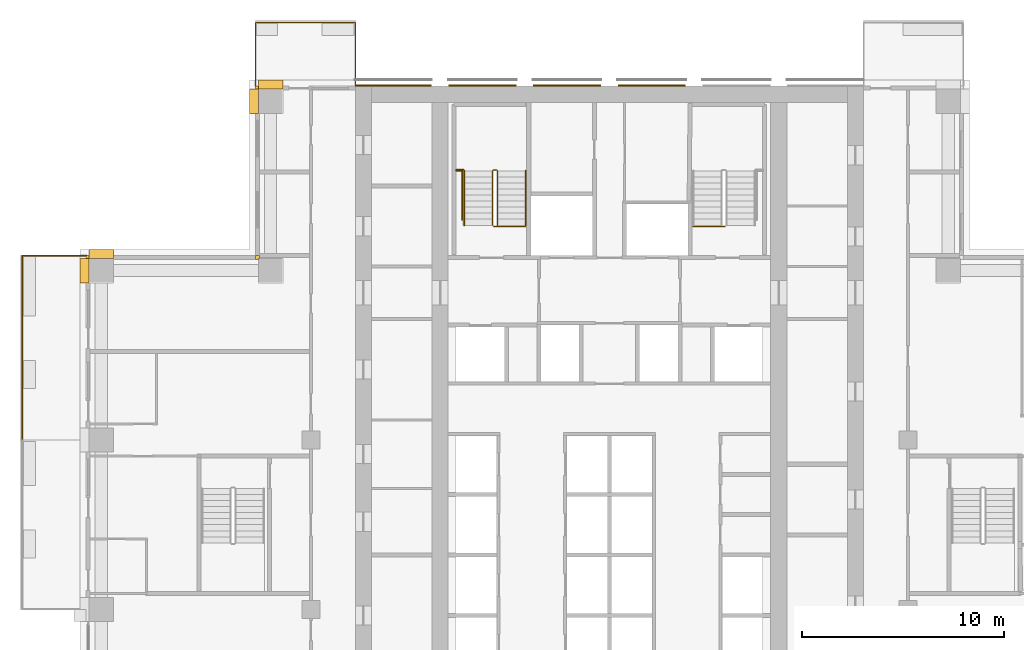
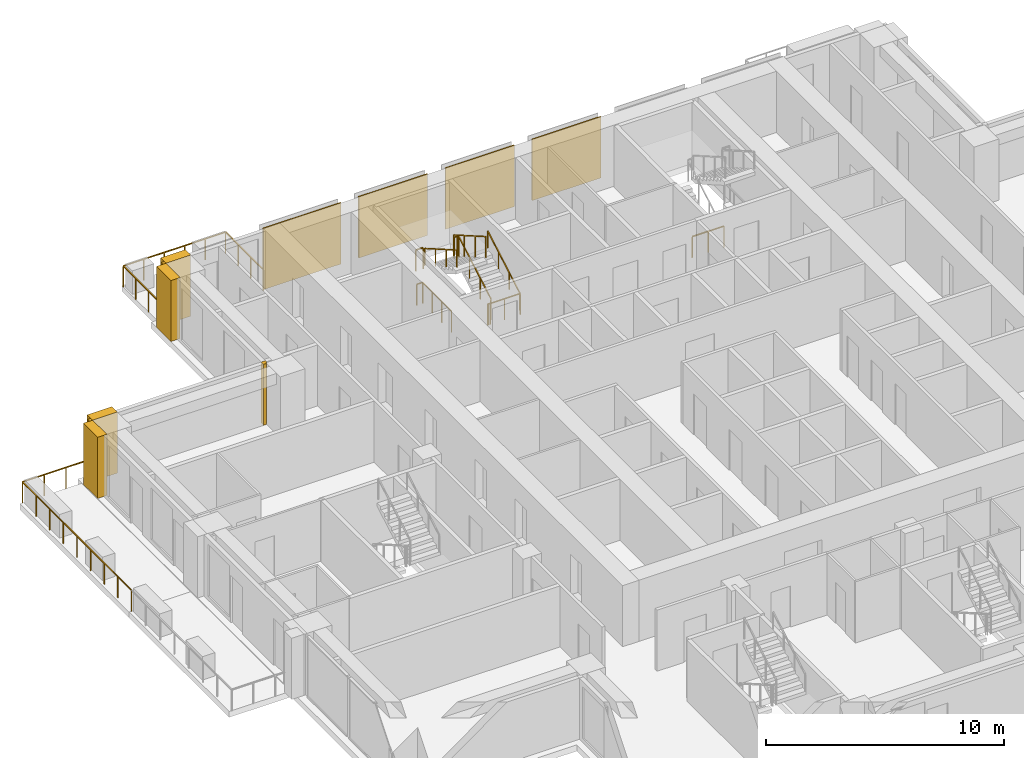
# One storey, part 15 of 16: 11 coverings, 9 railings.
"""IFC4 building model written with IfcOpenShell, lengths in metres."""

from ifc_helpers import new_model, si_unit, direction, frame, origin, origin_2d, place, context, subcontext, project, spatial, polyline, rectangle, outline, extrude, material, type_object, element, save


model = new_model("IFC4")

# Units and contexts
model_context = context("Model", 3, precision=1e-05, world=origin(), true_north=direction((0.0, 1.0)))
body_context = subcontext(model_context, "Body", "Model", "MODEL_VIEW")
ifc_project = project(units=[si_unit("LENGTHUNIT", "METRE"), si_unit("AREAUNIT", "SQUARE_METRE"), si_unit("VOLUMEUNIT", "CUBIC_METRE"), si_unit("PLANEANGLEUNIT", "RADIAN"), si_unit("MASSUNIT", "GRAM", prefix="KILO")], contexts=[model_context])

# Site, building, storey
site_placement = place(None, origin())
site = spatial("IfcSite", under=ifc_project, at=site_placement, CompositionType="ELEMENT")
building_placement = place(site_placement, origin())
building = spatial("IfcBuilding", under=site, at=building_placement, Name="Vermilion Ogive Tower", CompositionType="ELEMENT")
storey_placement = place(building_placement, frame((0.0, 0.0, 101.10009765625)))
storey = spatial("IfcBuildingStorey", under=building, at=storey_placement, Name="L25", CompositionType="ELEMENT", Elevation=101.10009765625)

# Railings
ifc_material_1 = material(Name="Stainless steel and glass", Category="steel")
railing_type_1 = type_object("IfcRailingType", Name="Balcony guard", PredefinedType="GUARDRAIL", material=ifc_material_1)
railing_1_placement = place(storey_placement, frame((-12.60009765625, 21.75, -0.0400390625)))
element("IfcRailing", 1, at=railing_1_placement, inside=storey, type_object=railing_type_1, Name="Guard N201", PredefinedType="GUARDRAIL", context=body_context, shape_type="SweptSolid", body=[
    extrude(rectangle(XDim=0.048095703125, YDim=0.048095703125, at=origin_2d()), frame((0.0, 0.0, 1.076171875), z_axis=(0.0, 1.0, 0.0), x_axis=(-1.0, 0.0, 0.0)), (0.0, 0.0, 1.0), 3.159912109375),
    extrude(rectangle(XDim=0.048095703125, YDim=0.048095703125, at=origin_2d()), frame((0.0, 3.159912109375, 1.076171875), z_axis=(-1.0, 0.0, 0.0), x_axis=(0.0, -1.0, 0.0)), (0.0, 0.0, 1.0), 4.949951171875),
    extrude(rectangle(XDim=0.048095703125, YDim=0.048095703125, at=origin_2d()), frame((-4.949951171875, 3.159912109375, 1.076171875), z_axis=(0.0, -1.0, 0.0), x_axis=(1.0, 0.0, 0.0)), (0.0, 0.0, 1.0), 3.159912109375),
    extrude(rectangle(XDim=0.0419921875, YDim=0.0419921875, at=origin_2d()), origin(), (0.0, 0.0, 1.0), 1.052001953125),
    extrude(rectangle(XDim=0.0419921875, YDim=0.0419921875, at=origin_2d()), frame((0.0, 1.05322265625, 0.0)), (0.0, 0.0, 1.0), 1.052001953125),
    extrude(rectangle(XDim=0.0419921875, YDim=0.0419921875, at=origin_2d()), frame((0.0, 2.106689453125, 0.0)), (0.0, 0.0, 1.0), 1.052001953125),
    extrude(rectangle(XDim=0.0419921875, YDim=0.0419921875, at=origin_2d()), frame((0.0, 3.159912109375, 0.0)), (0.0, 0.0, 1.0), 1.052001953125),
    extrude(rectangle(XDim=0.0419921875, YDim=0.0419921875, at=origin_2d()), frame((-0.989990234375, 3.159912109375, 0.0)), (0.0, 0.0, 1.0), 1.052001953125),
    extrude(rectangle(XDim=0.0419921875, YDim=0.0419921875, at=origin_2d()), frame((-1.97998046875, 3.159912109375, 0.0)), (0.0, 0.0, 1.0), 1.052001953125),
    extrude(rectangle(XDim=0.0419921875, YDim=0.0419921875, at=origin_2d()), frame((-2.969970703125, 3.159912109375, 0.0)), (0.0, 0.0, 1.0), 1.052001953125),
    extrude(rectangle(XDim=0.0419921875, YDim=0.0419921875, at=origin_2d()), frame((-3.9599609375, 3.159912109375, 0.0)), (0.0, 0.0, 1.0), 1.052001953125),
    extrude(rectangle(XDim=0.0419921875, YDim=0.0419921875, at=origin_2d()), frame((-4.949951171875, 3.159912109375, 0.0)), (0.0, 0.0, 1.0), 1.052001953125),
    extrude(rectangle(XDim=0.0419921875, YDim=0.0419921875, at=origin_2d()), frame((-4.949951171875, 2.106689453125, 0.0)), (0.0, 0.0, 1.0), 1.052001953125),
    extrude(rectangle(XDim=0.0419921875, YDim=0.0419921875, at=origin_2d()), frame((-4.949951171875, 1.05322265625, 0.0)), (0.0, 0.0, 1.0), 1.052001953125),
    extrude(rectangle(XDim=0.0419921875, YDim=0.0419921875, at=origin_2d()), frame((-4.949951171875, 0.0, 0.0)), (0.0, 0.0, 1.0), 1.052001953125),
])
railing_2_placement = place(storey_placement, frame((-25.949951171875, 13.35009765625, -0.0400390625)))
element("IfcRailing", 2, at=railing_2_placement, inside=storey, type_object=railing_type_1, Name="Guard W01", PredefinedType="GUARDRAIL", context=body_context, shape_type="SweptSolid", body=[
    extrude(rectangle(XDim=0.048095703125, YDim=0.048095703125, at=origin_2d()), frame((0.0, 0.0, 1.076171875), z_axis=(-1.0, 0.0, 0.0), x_axis=(0.0, -1.0, 0.0)), (0.0, 0.0, 1.0), 3.16015625),
    extrude(rectangle(XDim=0.048095703125, YDim=0.048095703125, at=origin_2d()), frame((-3.16015625, 0.0, 1.076171875), z_axis=(0.0, -1.0, 0.0), x_axis=(1.0, 0.0, 0.0)), (0.0, 0.0, 1.0), 9.150146484375),
    extrude(rectangle(XDim=0.0419921875, YDim=0.0419921875, at=origin_2d()), origin(), (0.0, 0.0, 1.0), 1.052001953125),
    extrude(rectangle(XDim=0.0419921875, YDim=0.0419921875, at=origin_2d()), frame((-1.053466796875, 0.0, 0.0)), (0.0, 0.0, 1.0), 1.052001953125),
    extrude(rectangle(XDim=0.0419921875, YDim=0.0419921875, at=origin_2d()), frame((-2.106689453125, 0.0, 0.0)), (0.0, 0.0, 1.0), 1.052001953125),
    extrude(rectangle(XDim=0.0419921875, YDim=0.0419921875, at=origin_2d()), frame((-3.16015625, 0.0, 0.0)), (0.0, 0.0, 1.0), 1.052001953125),
    extrude(rectangle(XDim=0.0419921875, YDim=0.0419921875, at=origin_2d()), frame((-3.16015625, -1.143798828125, 0.0)), (0.0, 0.0, 1.0), 1.052001953125),
    extrude(rectangle(XDim=0.0419921875, YDim=0.0419921875, at=origin_2d()), frame((-3.16015625, -2.28759765625, 0.0)), (0.0, 0.0, 1.0), 1.052001953125),
    extrude(rectangle(XDim=0.0419921875, YDim=0.0419921875, at=origin_2d()), frame((-3.16015625, -3.431396484375, 0.0)), (0.0, 0.0, 1.0), 1.052001953125),
    extrude(rectangle(XDim=0.0419921875, YDim=0.0419921875, at=origin_2d()), frame((-3.16015625, -4.5751953125, 0.0)), (0.0, 0.0, 1.0), 1.052001953125),
    extrude(rectangle(XDim=0.0419921875, YDim=0.0419921875, at=origin_2d()), frame((-3.16015625, -5.71875, 0.0)), (0.0, 0.0, 1.0), 1.052001953125),
    extrude(rectangle(XDim=0.0419921875, YDim=0.0419921875, at=origin_2d()), frame((-3.16015625, -6.862548828125, 0.0)), (0.0, 0.0, 1.0), 1.052001953125),
    extrude(rectangle(XDim=0.0419921875, YDim=0.0419921875, at=origin_2d()), frame((-3.16015625, -8.00634765625, 0.0)), (0.0, 0.0, 1.0), 1.052001953125),
    extrude(rectangle(XDim=0.0419921875, YDim=0.0419921875, at=origin_2d()), frame((-3.16015625, -9.150146484375, 0.0)), (0.0, 0.0, 1.0), 1.052001953125),
])
ifc_material_2 = material(Name="Steel S355 painted", Category="steel")
railing_type_2 = type_object("IfcRailingType", Name="Stair guard 1100", PredefinedType="GUARDRAIL", material=ifc_material_2)
railing_3_placement = place(storey_placement, frame((-5.75, 14.800048828125, 0.0)))
element("IfcRailing", 3, at=railing_3_placement, inside=storey, type_object=railing_type_2, Name="L25 ST1 stair guard 4", PredefinedType="GUARDRAIL", context=body_context, shape_type="SweptSolid", body=[
    extrude(rectangle(XDim=0.048095703125, YDim=0.048095703125, at=origin_2d()), frame((0.0, 0.0, 1.076171875), z_axis=(1.0, 0.0, 0.0), x_axis=(0.0, 1.0, 0.0)), (0.0, 0.0, 1.0), 0.14990234375),
    extrude(rectangle(XDim=0.048095703125, YDim=0.048095703125, at=origin_2d()), frame((0.14990234375, 0.0, 1.076171875), z_axis=(0.268603158521, 0.268603158521, 0.925043072762), x_axis=(-0.707106781187, 0.707106781187, 0.0)), (0.0, 0.0, 1.0), 0.186279296875),
    extrude(rectangle(XDim=0.048095703125, YDim=0.048095703125, at=origin_2d()), frame((0.199951171875, 0.050048828125, 1.24853515625), z_axis=(0.0, 0.866903762492, 0.498475542607), x_axis=(-1.0, 0.0, 0.0)), (0.0, 0.0, 1.0), 3.114501953125),
    extrude(rectangle(XDim=0.048095703125, YDim=0.048095703125, at=origin_2d()), frame((0.199951171875, 2.75, 2.80078125), z_axis=(-0.707106781187, 0.707106781187, 0.0), x_axis=(-0.707106781187, -0.707106781187, 0.0)), (0.0, 0.0, 1.0), 0.07080078125),
    extrude(rectangle(XDim=0.048095703125, YDim=0.048095703125, at=origin_2d()), frame((0.14990234375, 2.800048828125, 2.80078125), z_axis=(-1.0, 0.0, 0.0), x_axis=(0.0, -1.0, 0.0)), (0.0, 0.0, 1.0), 0.14990234375),
    extrude(rectangle(XDim=0.048095703125, YDim=0.048095703125, at=origin_2d()), frame((0.0, 2.800048828125, 2.80078125), z_axis=(-0.268277960024, -0.268277960024, 0.925231793839), x_axis=(0.707106781187, -0.707106781187, 0.0)), (0.0, 0.0, 1.0), 0.1865234375),
    extrude(rectangle(XDim=0.048095703125, YDim=0.048095703125, at=origin_2d()), frame((-0.050048828125, 2.75, 2.9736328125), z_axis=(0.0, -0.866903762492, 0.498475542607), x_axis=(1.0, 0.0, 0.0)), (0.0, 0.0, 1.0), 3.114501953125),
    extrude(rectangle(XDim=0.0419921875, YDim=0.0419921875, at=origin_2d()), origin(), (0.0, 0.0, 1.0), 1.052001953125),
    extrude(rectangle(XDim=0.0419921875, YDim=0.0419921875, at=origin_2d()), frame((0.14990234375, 0.0, 0.0)), (0.0, 0.0, 1.0), 1.052001953125),
    extrude(rectangle(XDim=0.0419921875, YDim=0.0419921875, at=origin_2d()), frame((0.199951171875, 0.050048828125, 0.17236328125)), (0.0, 0.0, 1.0), 1.052001953125),
    extrude(rectangle(XDim=0.0419921875, YDim=0.0419921875, at=origin_2d()), frame((0.199951171875, 0.949951171875, 0.68994140625)), (0.0, 0.0, 1.0), 1.052001953125),
    extrude(rectangle(XDim=0.0419921875, YDim=0.0419921875, at=origin_2d()), frame((0.199951171875, 1.85009765625, 1.207275390625)), (0.0, 0.0, 1.0), 1.052001953125),
    extrude(rectangle(XDim=0.0419921875, YDim=0.0419921875, at=origin_2d()), frame((0.199951171875, 2.75, 1.724853515625)), (0.0, 0.0, 1.0), 1.052001953125),
    extrude(rectangle(XDim=0.0419921875, YDim=0.0419921875, at=origin_2d()), frame((0.14990234375, 2.800048828125, 1.724853515625)), (0.0, 0.0, 1.0), 1.052001953125),
    extrude(rectangle(XDim=0.0419921875, YDim=0.0419921875, at=origin_2d()), frame((0.0, 2.800048828125, 1.724853515625)), (0.0, 0.0, 1.0), 1.052001953125),
    extrude(rectangle(XDim=0.0419921875, YDim=0.0419921875, at=origin_2d()), frame((-0.050048828125, 2.75, 1.8974609375)), (0.0, 0.0, 1.0), 1.052001953125),
    extrude(rectangle(XDim=0.0419921875, YDim=0.0419921875, at=origin_2d()), frame((-0.050048828125, 1.85009765625, 2.4150390625)), (0.0, 0.0, 1.0), 1.052001953125),
    extrude(rectangle(XDim=0.0419921875, YDim=0.0419921875, at=origin_2d()), frame((-0.050048828125, 0.949951171875, 2.932373046875)), (0.0, 0.0, 1.0), 1.052001953125),
    extrude(rectangle(XDim=0.0419921875, YDim=0.0419921875, at=origin_2d()), frame((-0.050048828125, 0.050048828125, 3.449951171875)), (0.0, 0.0, 1.0), 1.052001953125),
])
railing_4_placement = place(storey_placement, frame((-7.60009765625, 17.60009765625, 1.724853515625)))
element("IfcRailing", 4, at=railing_4_placement, inside=storey, type_object=railing_type_2, Name="L25 landing guard", PredefinedType="GUARDRAIL", context=body_context, shape_type="SweptSolid", body=[
    extrude(rectangle(XDim=0.048095703125, YDim=0.048095703125, at=origin_2d()), frame((0.0, 0.0, 1.076171875), z_axis=(1.0, 0.0, 0.0), x_axis=(0.0, 1.0, 0.0)), (0.0, 0.0, 1.0), 0.35009765625),
    extrude(rectangle(XDim=0.0419921875, YDim=0.0419921875, at=origin_2d()), origin(), (0.0, 0.0, 1.0), 1.052001953125),
    extrude(rectangle(XDim=0.0419921875, YDim=0.0419921875, at=origin_2d()), frame((0.35009765625, 0.0, 0.0)), (0.0, 0.0, 1.0), 1.052001953125),
])
railing_5_placement = place(storey_placement, frame((-4.159912109375, 14.7900390625, 0.0)))
element("IfcRailing", 5, at=railing_5_placement, inside=storey, type_object=railing_type_2, Name="L25 stair opening guard", PredefinedType="GUARDRAIL", context=body_context, shape_type="SweptSolid", body=[
    extrude(rectangle(XDim=0.048095703125, YDim=0.048095703125, at=origin_2d()), frame((0.0, 0.0, 1.076171875), z_axis=(-1.0, 0.0, 0.0), x_axis=(0.0, -1.0, 0.0)), (0.0, 0.0, 1.0), 1.5400390625),
    extrude(rectangle(XDim=0.0419921875, YDim=0.0419921875, at=origin_2d()), origin(), (0.0, 0.0, 1.0), 1.052001953125),
    extrude(rectangle(XDim=0.0419921875, YDim=0.0419921875, at=origin_2d()), frame((-0.77001953125, 0.0, 0.0)), (0.0, 0.0, 1.0), 1.052001953125),
    extrude(rectangle(XDim=0.0419921875, YDim=0.0419921875, at=origin_2d()), frame((-1.5400390625, 0.0, 0.0)), (0.0, 0.0, 1.0), 1.052001953125),
])
railing_6_placement = place(storey_placement, frame((-7.3095703125, 15.11865234375, 0.0)))
element("IfcRailing", 6, at=railing_6_placement, inside=storey, type_object=railing_type_2, Name="L25 stair opening guard", PredefinedType="GUARDRAIL", context=body_context, shape_type="SweptSolid", body=[
    extrude(rectangle(XDim=0.048095703125, YDim=0.048095703125, at=origin_2d()), frame((0.0, 0.0, 1.076171875), z_axis=(0.0, 1.0, 0.0), x_axis=(-1.0, 0.0, 0.0)), (0.0, 0.0, 1.0), 2.42431640625),
    extrude(rectangle(XDim=0.048095703125, YDim=0.048095703125, at=origin_2d()), frame((0.0, 2.42431640625, 1.076171875), z_axis=(-1.0, 0.0, 0.0), x_axis=(0.0, -1.0, 0.0)), (0.0, 0.0, 1.0), 0.2900390625),
    extrude(rectangle(XDim=0.0419921875, YDim=0.0419921875, at=origin_2d()), origin(), (0.0, 0.0, 1.0), 1.052001953125),
    extrude(rectangle(XDim=0.0419921875, YDim=0.0419921875, at=origin_2d()), frame((0.0, 0.80810546875, 0.0)), (0.0, 0.0, 1.0), 1.052001953125),
    extrude(rectangle(XDim=0.0419921875, YDim=0.0419921875, at=origin_2d()), frame((0.0, 1.6162109375, 0.0)), (0.0, 0.0, 1.0), 1.052001953125),
    extrude(rectangle(XDim=0.0419921875, YDim=0.0419921875, at=origin_2d()), frame((0.0, 2.42431640625, 0.0)), (0.0, 0.0, 1.0), 1.052001953125),
    extrude(rectangle(XDim=0.0419921875, YDim=0.0419921875, at=origin_2d()), frame((-0.2900390625, 2.42431640625, 0.0)), (0.0, 0.0, 1.0), 1.052001953125),
])
railing_7_placement = place(storey_placement, frame((5.699951171875, 14.7900390625, 0.0)))
element("IfcRailing", 7, at=railing_7_placement, inside=storey, type_object=railing_type_2, Name="L25 stair opening guard", PredefinedType="GUARDRAIL", context=body_context, shape_type="SweptSolid", body=[
    extrude(rectangle(XDim=0.048095703125, YDim=0.048095703125, at=origin_2d()), frame((0.0, 0.0, 1.076171875), z_axis=(-1.0, 0.0, 0.0), x_axis=(0.0, -1.0, 0.0)), (0.0, 0.0, 1.0), 1.5400390625),
    extrude(rectangle(XDim=0.0419921875, YDim=0.0419921875, at=origin_2d()), origin(), (0.0, 0.0, 1.0), 1.052001953125),
    extrude(rectangle(XDim=0.0419921875, YDim=0.0419921875, at=origin_2d()), frame((-0.77001953125, 0.0, 0.0)), (0.0, 0.0, 1.0), 1.052001953125),
    extrude(rectangle(XDim=0.0419921875, YDim=0.0419921875, at=origin_2d()), frame((-1.5400390625, 0.0, 0.0)), (0.0, 0.0, 1.0), 1.052001953125),
])
ifc_material_3 = material(Name="Stainless steel", Category="steel")
railing_type_3 = type_object("IfcRailingType", Name="Stair handrail 900", PredefinedType="HANDRAIL", material=ifc_material_3)
railing_8_placement = place(storey_placement, frame((-4.14990234375, 14.85009765625, 0.17236328125)))
element("IfcRailing", 8, at=railing_8_placement, inside=storey, type_object=railing_type_3, Name="L25 ST1 stair handrail 1", PredefinedType="HANDRAIL", context=body_context, shape_type="SweptSolid", body=[
    extrude(rectangle(XDim=0.048095703125, YDim=0.048095703125, at=origin_2d()), frame((0.0, 0.0, 0.8759765625), z_axis=(0.0, 0.866903762492, 0.498475542607), x_axis=(-1.0, 0.0, 0.0)), (0.0, 0.0, 1.0), 3.114501953125),
    extrude(rectangle(XDim=0.0419921875, YDim=0.0419921875, at=origin_2d()), origin(), (0.0, 0.0, 1.0), 0.851806640625),
    extrude(rectangle(XDim=0.0419921875, YDim=0.0419921875, at=origin_2d()), frame((0.0, 0.89990234375, 0.517578125)), (0.0, 0.0, 1.0), 0.851806640625),
    extrude(rectangle(XDim=0.0419921875, YDim=0.0419921875, at=origin_2d()), frame((0.0, 1.800048828125, 1.034912109375)), (0.0, 0.0, 1.0), 0.851806640625),
    extrude(rectangle(XDim=0.0419921875, YDim=0.0419921875, at=origin_2d()), frame((0.0, 2.699951171875, 1.552490234375)), (0.0, 0.0, 1.0), 0.851806640625),
])
railing_9_placement = place(storey_placement, frame((-7.199951171875, 17.550048828125, 1.8974609375)))
element("IfcRailing", 9, at=railing_9_placement, inside=storey, type_object=railing_type_3, Name="L25 ST1 stair handrail 2", PredefinedType="HANDRAIL", context=body_context, shape_type="SweptSolid", body=[
    extrude(rectangle(XDim=0.048095703125, YDim=0.048095703125, at=origin_2d()), frame((0.0, 0.0, 0.8759765625), z_axis=(0.0, -0.866903762492, 0.498475542607), x_axis=(1.0, 0.0, 0.0)), (0.0, 0.0, 1.0), 3.114501953125),
    extrude(rectangle(XDim=0.0419921875, YDim=0.0419921875, at=origin_2d()), origin(), (0.0, 0.0, 1.0), 0.851806640625),
    extrude(rectangle(XDim=0.0419921875, YDim=0.0419921875, at=origin_2d()), frame((0.0, -0.89990234375, 0.517578125)), (0.0, 0.0, 1.0), 0.851806640625),
    extrude(rectangle(XDim=0.0419921875, YDim=0.0419921875, at=origin_2d()), frame((0.0, -1.800048828125, 1.034912109375)), (0.0, 0.0, 1.0), 0.851806640625),
    extrude(rectangle(XDim=0.0419921875, YDim=0.0419921875, at=origin_2d()), frame((0.0, -2.699951171875, 1.552490234375)), (0.0, 0.0, 1.0), 0.851806640625),
])

# Coverings
ifc_material_4 = material(Name="Stone cladding", Category="masonry")
covering_type_1 = type_object("IfcCoveringType", Name="Stone cladding panel", PredefinedType="CLADDING", material=ifc_material_4)
covering_1_placement = place(storey_placement, origin())
element("IfcCovering", 10, at=covering_1_placement, inside=storey, type_object=covering_type_1, Name="Stone cladding panel N1", PredefinedType="CLADDING", context=body_context, shape_type="SweptSolid", body=[
    extrude(outline(polyline([(-12.590087890625, 21.75), (-8.830078125, 21.75), (-8.830078125, 21.81005859375), (-12.590087890625, 21.81005859375), (-12.590087890625, 21.75)])), origin(), (0.0, 0.0, 1.0), 3.1298828125),
])
covering_2_placement = place(storey_placement, origin())
element("IfcCovering", 11, at=covering_2_placement, inside=storey, type_object=covering_type_1, Name="Stone cladding panel N2", PredefinedType="CLADDING", context=body_context, shape_type="SweptSolid", body=[
    extrude(outline(polyline([(-7.969970703125, 21.75), (-4.6298828125, 21.75), (-4.6298828125, 21.81005859375), (-7.969970703125, 21.81005859375), (-7.969970703125, 21.75)])), origin(), (0.0, 0.0, 1.0), 3.1298828125),
])
covering_3_placement = place(storey_placement, origin())
element("IfcCovering", 12, at=covering_3_placement, inside=storey, type_object=covering_type_1, Name="Stone cladding panel N3", PredefinedType="CLADDING", context=body_context, shape_type="SweptSolid", body=[
    extrude(outline(polyline([(-3.77001953125, 21.75), (-0.429931640625, 21.75), (-0.429931640625, 21.81005859375), (-3.77001953125, 21.81005859375), (-3.77001953125, 21.75)])), origin(), (0.0, 0.0, 1.0), 3.1298828125),
])
covering_4_placement = place(storey_placement, origin())
element("IfcCovering", 13, at=covering_4_placement, inside=storey, type_object=covering_type_1, Name="Stone cladding panel N4", PredefinedType="CLADDING", context=body_context, shape_type="SweptSolid", body=[
    extrude(outline(polyline([(0.429931640625, 21.75), (3.77001953125, 21.75), (3.77001953125, 21.81005859375), (0.429931640625, 21.81005859375), (0.429931640625, 21.75)])), origin(), (0.0, 0.0, 1.0), 3.1298828125),
])
ifc_material_5 = material(Name="Stone cladding", Category="masonry")
covering_type_2 = type_object("IfcCoveringType", Name="Stone pier", PredefinedType="CLADDING", material=ifc_material_5)
covering_5_placement = place(storey_placement, origin())
element("IfcCovering", 14, at=covering_5_placement, inside=storey, type_object=covering_type_2, Name="Stone corner pier N2E1", PredefinedType="CLADDING", context=body_context, shape_type="SweptSolid", body=[
    extrude(outline(polyline([(-17.39990234375, 21.75), (-17.39990234375, 21.60009765625), (-17.39990234375, 21.60009765625), (-17.550048828125, 21.60009765625), (-17.550048828125, 21.75), (-17.39990234375, 21.75)])), origin(), (0.0, 0.0, 1.0), 3.1298828125),
])
covering_6_placement = place(storey_placement, origin())
element("IfcCovering", 15, at=covering_6_placement, inside=storey, type_object=covering_type_2, Name="Stone corner pier X5E1", PredefinedType="CLADDING", context=body_context, shape_type="SweptSolid", body=[
    extrude(outline(polyline([(-17.35009765625, 13.199951171875), (-17.39990234375, 13.199951171875), (-17.39990234375, 13.14990234375), (-17.550048828125, 13.14990234375), (-17.550048828125, 13.35009765625), (-17.35009765625, 13.35009765625), (-17.35009765625, 13.199951171875)])), origin(), (0.0, 0.0, 1.0), 3.1298828125),
])
covering_7_placement = place(storey_placement, origin())
element("IfcCovering", 16, at=covering_7_placement, inside=storey, type_object=covering_type_2, Name="Stone corner pier X6E1", PredefinedType="CLADDING", context=body_context, shape_type="SweptSolid", body=[
    extrude(outline(polyline([(-25.800048828125, 13.35009765625), (-25.800048828125, 13.199951171875), (-25.949951171875, 13.199951171875), (-25.949951171875, 13.35009765625), (-25.800048828125, 13.35009765625)])), origin(), (0.0, 0.0, 1.0), 3.1298828125),
])
covering_8_placement = place(storey_placement, origin())
element("IfcCovering", 17, at=covering_8_placement, inside=storey, type_object=covering_type_2, Name="Stone pier P-0168+210N2", PredefinedType="CLADDING", context=body_context, shape_type="SweptSolid", body=[
    extrude(outline(polyline([(-17.39990234375, 22.050048828125), (-16.199951171875, 22.050048828125), (-16.199951171875, 21.60009765625), (-17.39990234375, 21.60009765625), (-17.39990234375, 22.050048828125)])), origin(), (0.0, 0.0, 1.0), 3.1298828125),
])
covering_9_placement = place(storey_placement, origin())
element("IfcCovering", 18, at=covering_9_placement, inside=storey, type_object=covering_type_2, Name="Stone pier P-0168+210X5", PredefinedType="CLADDING", context=body_context, shape_type="SweptSolid", body=[
    extrude(outline(polyline([(-17.85009765625, 21.60009765625), (-17.39990234375, 21.60009765625), (-17.39990234375, 20.39990234375), (-17.85009765625, 20.39990234375), (-17.85009765625, 21.60009765625)])), origin(), (0.0, 0.0, 1.0), 3.1298828125),
])
covering_10_placement = place(storey_placement, origin())
element("IfcCovering", 19, at=covering_10_placement, inside=storey, type_object=covering_type_2, Name="Stone pier P-0252+126X6", PredefinedType="CLADDING", context=body_context, shape_type="SweptSolid", body=[
    extrude(outline(polyline([(-25.800048828125, 13.199951171875), (-25.800048828125, 13.64990234375), (-24.60009765625, 13.64990234375), (-24.60009765625, 13.199951171875), (-24.60009765625, 13.199951171875), (-25.800048828125, 13.199951171875)])), origin(), (0.0, 0.0, 1.0), 3.1298828125),
])
covering_11_placement = place(storey_placement, origin())
element("IfcCovering", 20, at=covering_11_placement, inside=storey, type_object=covering_type_2, Name="Stone pier P-0252+126W", PredefinedType="CLADDING", context=body_context, shape_type="SweptSolid", body=[
    extrude(outline(polyline([(-26.25, 13.199951171875), (-25.800048828125, 13.199951171875), (-25.800048828125, 12.0), (-26.25, 12.0), (-26.25, 13.199951171875)])), origin(), (0.0, 0.0, 1.0), 3.1298828125),
])

save(model, "model.ifc")
